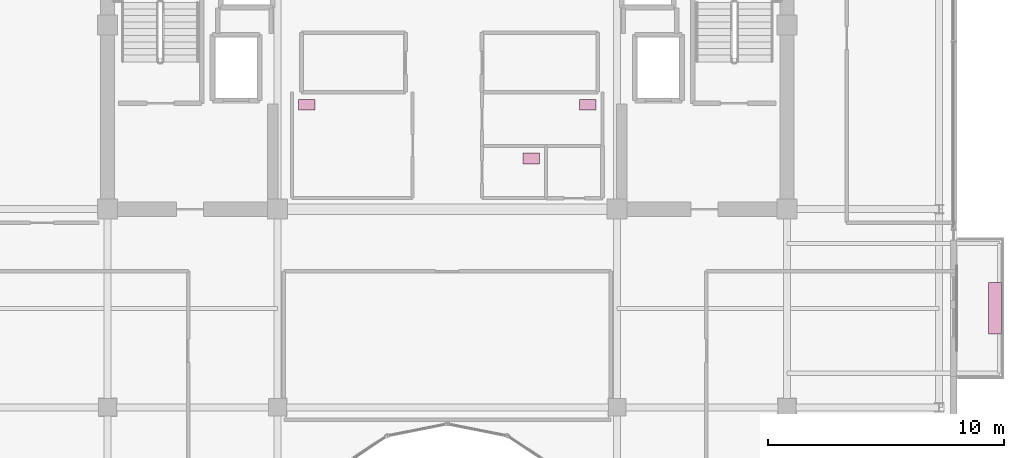
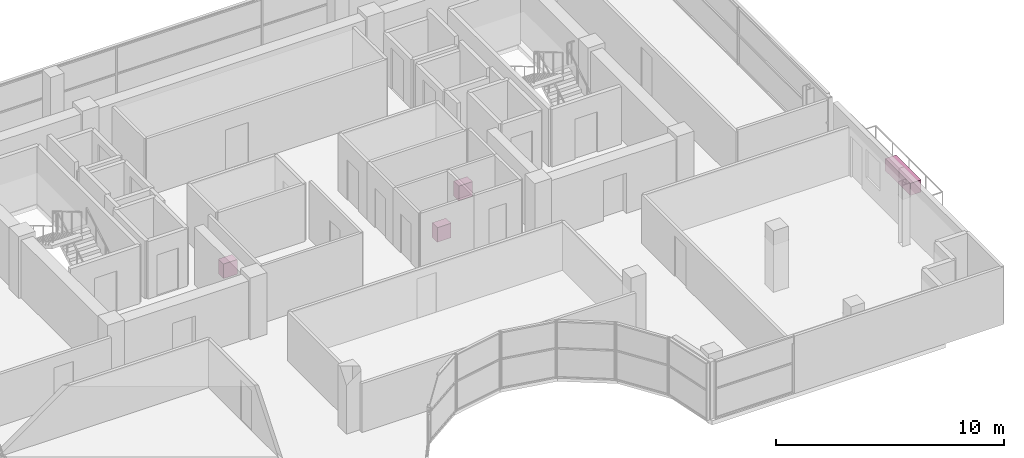
# One storey, part 29 of 29: 4 furnishings.
"""IFC4 building model written with IfcOpenShell, lengths in metres."""

from ifc_helpers import new_model, si_unit, direction, frame, origin, origin_2d, place, context, subcontext, project, spatial, rectangle, extrude, source, transform, mapped, material, type_object, element, save


model = new_model("IFC4")

# Units and contexts
model_context = context("Model", 3, precision=1e-05, world=origin(), true_north=direction((0.0, 1.0)))
body_context = subcontext(model_context, "Body", "Model", "MODEL_VIEW")
ifc_project = project(units=[si_unit("LENGTHUNIT", "METRE"), si_unit("AREAUNIT", "SQUARE_METRE"), si_unit("VOLUMEUNIT", "CUBIC_METRE"), si_unit("PLANEANGLEUNIT", "RADIAN"), si_unit("MASSUNIT", "GRAM", prefix="KILO")], contexts=[model_context])

# Site, building, storey
site_placement = place(None, origin())
site = spatial("IfcSite", under=ifc_project, at=site_placement, CompositionType="ELEMENT")
building_placement = place(site_placement, origin())
building = spatial("IfcBuilding", under=site, at=building_placement, Name="Zarnakvel Exchange Tower", CompositionType="ELEMENT")
storey_placement = place(building_placement, frame((0.0, 0.0, 265.0)))
storey = spatial("IfcBuildingStorey", under=building, at=storey_placement, Name="L75", CompositionType="ELEMENT", Elevation=265.0)

# Furnishings
ifc_material_1 = material(Name="Architectural Bronze Anodised Aluminium", Category="aluminium")
furnishing_element_type_1 = type_object("IfcFurnishingElementType", Name="PLNT-01", material=ifc_material_1)
shared_shape_1 = source(origin(), body_context, "Body", "SweptSolid", [
    extrude(rectangle(XDim=2.199951171875, YDim=0.550048828125, at=origin_2d()), origin(), (0.0, 0.0, 1.0), 0.64990234375),
])
furnishing_placement = place(storey_placement, frame((23.219970703125, -5.39990234375, -0.034912109375), z_axis=(0.0, 0.0, 1.0), x_axis=(0.0, 1.0, 0.0)))
element("IfcFurnishingElement", 1, at=furnishing_placement, inside=storey, type_object=furnishing_element_type_1, Name="L75 Balcony Greenery Planter BAL-L75-E", ObjectType="PLANTER", context=body_context, shape_type="MappedRepresentation", body=[
    mapped(shared_shape_1, transform((0.0, 0.0, 0.0), x_axis=(1.0, 0.0, 0.0), y_axis=(0.0, 1.0, 0.0), z_axis=(0.0, 0.0, 1.0), scale=1.0)),
])
ifc_material_2 = material(Name="Vitreous China Sanitaryware", Category="ceramic")
furnishing_element_type_2 = type_object("IfcFurnishingElementType", Name="SAN-WC", material=ifc_material_2)
shared_shape_2 = source(origin(), body_context, "Body", "SweptSolid", [
    extrude(rectangle(XDim=0.699951171875, YDim=0.449951171875, at=origin_2d()), origin(), (0.0, 0.0, 1.0), 0.780029296875),
])
for number, where, z_axis, x_axis, name in (
    (2, (-5.949951171875, 3.22998046875, 0.0), (0.0, 0.0, 1.0), (1.0, 0.0, 0.0), "L75 Sanitary Fixture (Male Toilet)"),
    (3, (5.949951171875, 3.22998046875, 0.0), (0.0, 0.0, 1.0), (1.0, 0.0, 0.0), "L75 Sanitary Fixture (Female Toilet)"),
    (4, (3.550048828125, 0.949951171875, 0.0), (0.0, 0.0, 1.0), (1.0, 0.0, 0.0), "L75 Sanitary Fixture (Accessible Toilet)"),
):
    element("IfcFurnishingElement", number, at=place(storey_placement, frame(where, z_axis=z_axis, x_axis=x_axis)), inside=storey, type_object=furnishing_element_type_2, Name=name, ObjectType="SANITARY_FIXTURE", context=body_context, shape_type="MappedRepresentation", body=[
        mapped(shared_shape_2, transform((0.0, 0.0, 0.0), x_axis=(1.0, 0.0, 0.0), y_axis=(0.0, 1.0, 0.0), z_axis=(0.0, 0.0, 1.0), scale=1.0)),
    ])

save(model, "model.ifc")
